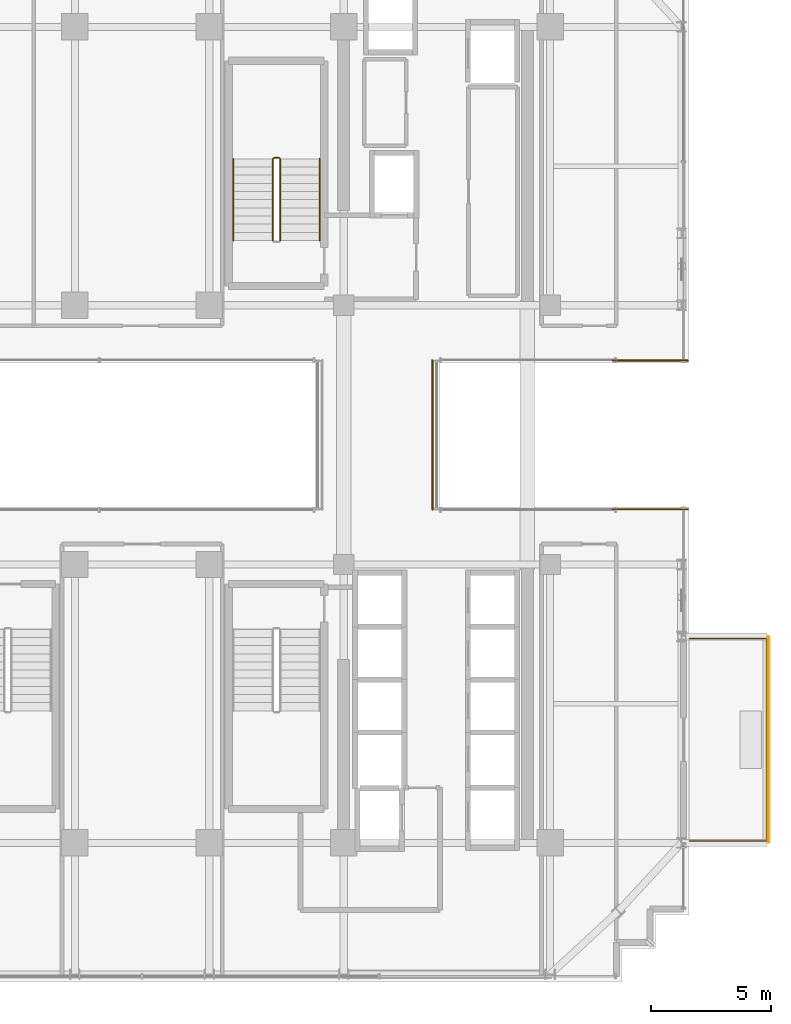
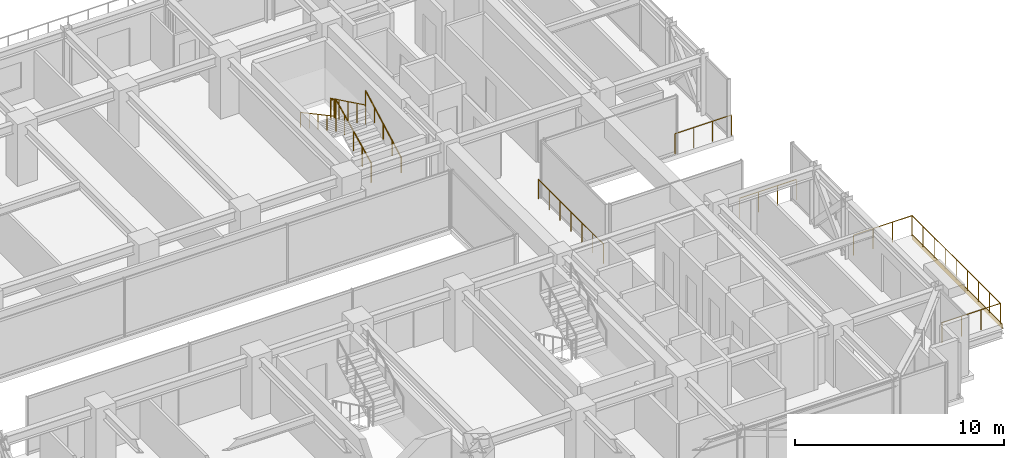
# One storey, part 39 of 41: 9 railings, 1 covering.
"""IFC4 building model written with IfcOpenShell, lengths in metres."""

from ifc_helpers import new_model, si_unit, direction, frame, origin, origin_2d, place, context, subcontext, project, spatial, rectangle, circle, extrude, source, transform, mapped, material, layer, layer_set, type_object, element, save


model = new_model("IFC4")

# Units and contexts
model_context = context("Model", 3, precision=1e-05, world=origin(), true_north=direction((0.0, 1.0)))
body_context = subcontext(model_context, "Body", "Model", "MODEL_VIEW")
ifc_project = project(units=[si_unit("LENGTHUNIT", "METRE"), si_unit("AREAUNIT", "SQUARE_METRE"), si_unit("VOLUMEUNIT", "CUBIC_METRE"), si_unit("PLANEANGLEUNIT", "RADIAN"), si_unit("MASSUNIT", "GRAM", prefix="KILO")], contexts=[model_context])

# Site, building, storey
site_placement = place(None, origin())
site = spatial("IfcSite", under=ifc_project, at=site_placement, CompositionType="ELEMENT")
building_placement = place(site_placement, origin())
building = spatial("IfcBuilding", under=site, at=building_placement, Name="Nahalor Promenade Grand Hotel", CompositionType="ELEMENT")
storey_placement = place(building_placement, frame((0.0, 0.0, 159.949951171875)))
storey = spatial("IfcBuildingStorey", under=building, at=storey_placement, Name="L40", CompositionType="ELEMENT", Elevation=159.949951171875)

# Railings
ifc_material_1 = material(Name="Anodised Bronze Aluminium EN AW-6063 T6", Category="aluminium")
railing_type_1 = type_object("IfcRailingType", Name="Bronze Balcony Guardrail 1200 mm", PredefinedType="GUARDRAIL", material=ifc_material_1)
for number, where, name in (
    (1, (19.6201171875, -3.09912109375, 0.0), "L40 Oculus Void Edge Guardrail ES"),
    (2, (19.6201171875, 3.09912109375, 0.0), "L40 Oculus Void Edge Guardrail EN"),
):
    element("IfcRailing", number, at=place(storey_placement, frame(where)), inside=storey, type_object=railing_type_1, Name=name, PredefinedType="GUARDRAIL", context=body_context, shape_type="SweptSolid", body=[
        extrude(circle(Radius=0.024048, at=origin_2d()), frame((0.0, 0.0, 1.17578125), z_axis=(1.0, 0.0, 0.0), x_axis=(0.0, 1.0, 0.0)), (0.0, 0.0, 1.0), 3.119873046875),
        extrude(circle(Radius=0.020996, at=origin_2d()), origin(), (0.0, 0.0, 1.0), 1.14990234375),
        extrude(circle(Radius=0.020996, at=origin_2d()), frame((1.0400390625, 0.0, 0.0)), (0.0, 0.0, 1.0), 1.14990234375),
        extrude(circle(Radius=0.020996, at=origin_2d()), frame((2.079833984375, 0.0, 0.0)), (0.0, 0.0, 1.0), 1.14990234375),
        extrude(circle(Radius=0.020996, at=origin_2d()), frame((3.119873046875, 0.0, 0.0)), (0.0, 0.0, 1.0), 1.14990234375),
    ])
railing_1_placement = place(storey_placement, frame((22.800048828125, -16.919921875, 0.0)))
element("IfcRailing", 3, at=railing_1_placement, inside=storey, type_object=railing_type_1, Name="L40 Balcony Guardrail 2", PredefinedType="GUARDRAIL", context=body_context, shape_type="SweptSolid", body=[
    extrude(circle(Radius=0.024048, at=origin_2d()), frame((0.0, 0.0, 1.17578125), z_axis=(1.0, 0.0, 0.0), x_axis=(0.0, 1.0, 0.0)), (0.0, 0.0, 1.0), 3.22802734375),
    extrude(circle(Radius=0.024048, at=origin_2d()), frame((3.22998046875, 0.001953125, 1.17578125), z_axis=(0.0, 1.0, 0.0), x_axis=(-1.0, 0.0, 0.0)), (0.0, 0.0, 1.0), 8.43603515625),
    extrude(circle(Radius=0.024048, at=origin_2d()), frame((3.22802734375, 8.43994140625, 1.17578125), z_axis=(-1.0, 0.0, 0.0), x_axis=(0.0, -1.0, 0.0)), (0.0, 0.0, 1.0), 3.22802734375),
    extrude(circle(Radius=0.020996, at=origin_2d()), origin(), (0.0, 0.0, 1.0), 1.14990234375),
    extrude(circle(Radius=0.020996, at=origin_2d()), frame((1.07666015625, 0.0, 0.0)), (0.0, 0.0, 1.0), 1.14990234375),
    extrude(circle(Radius=0.020996, at=origin_2d()), frame((2.1533203125, 0.0, 0.0)), (0.0, 0.0, 1.0), 1.14990234375),
    extrude(circle(Radius=0.020996, at=origin_2d()), frame((3.22998046875, 0.0, 0.0)), (0.0, 0.0, 1.0), 1.14990234375),
    extrude(circle(Radius=0.020996, at=origin_2d()), frame((3.22998046875, 1.054931640625, 0.0)), (0.0, 0.0, 1.0), 1.14990234375),
    extrude(circle(Radius=0.020996, at=origin_2d()), frame((3.22998046875, 2.10986328125, 0.0)), (0.0, 0.0, 1.0), 1.14990234375),
    extrude(circle(Radius=0.020996, at=origin_2d()), frame((3.22998046875, 3.1650390625, 0.0)), (0.0, 0.0, 1.0), 1.14990234375),
    extrude(circle(Radius=0.020996, at=origin_2d()), frame((3.22998046875, 4.219970703125, 0.0)), (0.0, 0.0, 1.0), 1.14990234375),
    extrude(circle(Radius=0.020996, at=origin_2d()), frame((3.22998046875, 5.27490234375, 0.0)), (0.0, 0.0, 1.0), 1.14990234375),
    extrude(circle(Radius=0.020996, at=origin_2d()), frame((3.22998046875, 6.330078125, 0.0)), (0.0, 0.0, 1.0), 1.14990234375),
    extrude(circle(Radius=0.020996, at=origin_2d()), frame((3.22998046875, 7.385009765625, 0.0)), (0.0, 0.0, 1.0), 1.14990234375),
    extrude(circle(Radius=0.020996, at=origin_2d()), frame((3.22998046875, 8.43994140625, 0.0)), (0.0, 0.0, 1.0), 1.14990234375),
    extrude(circle(Radius=0.020996, at=origin_2d()), frame((2.1533203125, 8.43994140625, 0.0)), (0.0, 0.0, 1.0), 1.14990234375),
    extrude(circle(Radius=0.020996, at=origin_2d()), frame((1.07666015625, 8.43994140625, 0.0)), (0.0, 0.0, 1.0), 1.14990234375),
    extrude(circle(Radius=0.020996, at=origin_2d()), frame((0.0, 8.43994140625, 0.0)), (0.0, 0.0, 1.0), 1.14990234375),
])
railing_type_2 = type_object("IfcRailingType", Name="Bronze Sky Balustrade 1150 mm", PredefinedType="BALUSTRADE", material=ifc_material_1)
railing_2_placement = place(storey_placement, frame((12.10009765625, -3.118896484375, 0.0)))
element("IfcRailing", 4, at=railing_2_placement, inside=storey, type_object=railing_type_2, Name="BL-L40-BRG-E", PredefinedType="BALUSTRADE", context=body_context, shape_type="SweptSolid", body=[
    extrude(circle(Radius=0.024048, at=origin_2d()), frame((0.0, 0.0, 1.1259765625), z_axis=(0.0, 1.0, 0.0), x_axis=(-1.0, 0.0, 0.0)), (0.0, 0.0, 1.0), 6.23779296875),
    extrude(circle(Radius=0.020996, at=origin_2d()), origin(), (0.0, 0.0, 1.0), 1.099853515625),
    extrude(circle(Radius=0.020996, at=origin_2d()), frame((0.0, 1.03955078125, 0.0)), (0.0, 0.0, 1.0), 1.099853515625),
    extrude(circle(Radius=0.020996, at=origin_2d()), frame((0.0, 2.079345703125, 0.0)), (0.0, 0.0, 1.0), 1.099853515625),
    extrude(circle(Radius=0.020996, at=origin_2d()), frame((0.0, 3.118896484375, 0.0)), (0.0, 0.0, 1.0), 1.099853515625),
    extrude(circle(Radius=0.020996, at=origin_2d()), frame((0.0, 4.158447265625, 0.0)), (0.0, 0.0, 1.0), 1.099853515625),
    extrude(circle(Radius=0.020996, at=origin_2d()), frame((0.0, 5.1982421875, 0.0)), (0.0, 0.0, 1.0), 1.099853515625),
    extrude(circle(Radius=0.020996, at=origin_2d()), frame((0.0, 6.23779296875, 0.0)), (0.0, 0.0, 1.0), 1.099853515625),
])
ifc_material_2 = material(Name="Steel S355JR", Category="steel")
railing_type_3 = type_object("IfcRailingType", Name="Steel Stair Guardrail 1150 mm", PredefinedType="GUARDRAIL", material=ifc_material_2)
railing_3_placement = place(storey_placement, frame((5.75, 8.10009765625, 0.166015625)))
element("IfcRailing", 5, at=railing_3_placement, inside=storey, type_object=railing_type_3, Name="L40 ST1 stair guard 1", PredefinedType="GUARDRAIL", context=body_context, shape_type="SweptSolid", body=[
    extrude(circle(Radius=0.024048, at=origin_2d()), frame((0.0, 0.0, 1.1259765625), z_axis=(0.0, 0.898721922897, 0.438518990814), x_axis=(-1.0, 0.0, 0.0)), (0.0, 0.0, 1.0), 3.782958984375),
    extrude(circle(Radius=0.020996, at=origin_2d()), origin(), (0.0, 0.0, 1.0), 1.099853515625),
    extrude(circle(Radius=0.020996, at=origin_2d()), frame((0.0, 0.85009765625, 0.414794921875)), (0.0, 0.0, 1.0), 1.099853515625),
    extrude(circle(Radius=0.020996, at=origin_2d()), frame((0.0, 1.699951171875, 0.82958984375)), (0.0, 0.0, 1.0), 1.099853515625),
    extrude(circle(Radius=0.020996, at=origin_2d()), frame((0.0, 2.5498046875, 1.244140625)), (0.0, 0.0, 1.0), 1.099853515625),
    extrude(circle(Radius=0.020996, at=origin_2d()), frame((0.0, 3.39990234375, 1.658935546875)), (0.0, 0.0, 1.0), 1.099853515625),
])
railing_4_placement = place(storey_placement, frame((5.699951171875, 11.550048828125, 1.824951171875)))
element("IfcRailing", 6, at=railing_4_placement, inside=storey, type_object=railing_type_3, Name="L40 ST1 stair guard 2", PredefinedType="GUARDRAIL", context=body_context, shape_type="SweptSolid", body=[
    extrude(circle(Radius=0.024048, at=origin_2d()), frame((0.0, 0.0, 1.1259765625), z_axis=(-1.0, 0.0, 0.0), x_axis=(0.0, -1.0, 0.0)), (0.0, 0.0, 1.0), 0.199951171875),
    extrude(circle(Radius=0.020996, at=origin_2d()), origin(), (0.0, 0.0, 1.0), 1.099853515625),
    extrude(circle(Radius=0.020996, at=origin_2d()), frame((-0.199951171875, 0.0, 0.0)), (0.0, 0.0, 1.0), 1.099853515625),
])
railing_5_placement = place(storey_placement, frame((5.449951171875, 11.5, 1.990966796875)))
element("IfcRailing", 7, at=railing_5_placement, inside=storey, type_object=railing_type_3, Name="L40 ST1 stair guard 3", PredefinedType="GUARDRAIL", context=body_context, shape_type="SweptSolid", body=[
    extrude(circle(Radius=0.024048, at=origin_2d()), frame((0.0, 0.0, 1.1259765625), z_axis=(0.0, -0.898696488221, 0.438571114028), x_axis=(1.0, 0.0, 0.0)), (0.0, 0.0, 1.0), 3.783203125),
    extrude(circle(Radius=0.020996, at=origin_2d()), origin(), (0.0, 0.0, 1.0), 1.099853515625),
    extrude(circle(Radius=0.020996, at=origin_2d()), frame((0.0, -0.85009765625, 0.414794921875)), (0.0, 0.0, 1.0), 1.099853515625),
    extrude(circle(Radius=0.020996, at=origin_2d()), frame((0.0, -1.699951171875, 0.82958984375)), (0.0, 0.0, 1.0), 1.099853515625),
    extrude(circle(Radius=0.020996, at=origin_2d()), frame((0.0, -2.5498046875, 1.244384765625)), (0.0, 0.0, 1.0), 1.099853515625),
    extrude(circle(Radius=0.020996, at=origin_2d()), frame((0.0, -3.39990234375, 1.6591796875)), (0.0, 0.0, 1.0), 1.099853515625),
])
railing_type_4 = type_object("IfcRailingType", Name="Steel Stair Handrail 900 mm", PredefinedType="HANDRAIL", material=ifc_material_2)
railing_6_placement = place(storey_placement, frame((7.39990234375, 8.10009765625, 0.166015625)))
element("IfcRailing", 8, at=railing_6_placement, inside=storey, type_object=railing_type_4, Name="L40 ST1 stair handrail 1", PredefinedType="HANDRAIL", context=body_context, shape_type="SweptSolid", body=[
    extrude(circle(Radius=0.024048, at=origin_2d()), frame((0.0, 0.0, 0.8759765625), z_axis=(0.0, 0.881094038095, 0.47294111265), x_axis=(-1.0, 0.0, 0.0)), (0.0, 0.0, 1.0), 3.858642578125),
    extrude(circle(Radius=0.020996, at=origin_2d()), origin(), (0.0, 0.0, 1.0), 0.849853515625),
    extrude(circle(Radius=0.020996, at=origin_2d()), frame((0.0, 0.85009765625, 0.456298828125)), (0.0, 0.0, 1.0), 0.849853515625),
    extrude(circle(Radius=0.020996, at=origin_2d()), frame((0.0, 1.699951171875, 0.91259765625)), (0.0, 0.0, 1.0), 0.849853515625),
    extrude(circle(Radius=0.020996, at=origin_2d()), frame((0.0, 2.5498046875, 1.36865234375)), (0.0, 0.0, 1.0), 0.849853515625),
    extrude(circle(Radius=0.020996, at=origin_2d()), frame((0.0, 3.39990234375, 1.824951171875)), (0.0, 0.0, 1.0), 0.849853515625),
])
railing_7_placement = place(storey_placement, frame((3.800048828125, 11.5, 1.990966796875)))
element("IfcRailing", 9, at=railing_7_placement, inside=storey, type_object=railing_type_4, Name="L40 ST1 stair handrail 2", PredefinedType="HANDRAIL", context=body_context, shape_type="SweptSolid", body=[
    extrude(circle(Radius=0.024048, at=origin_2d()), frame((0.0, 0.0, 0.8759765625), z_axis=(0.0, -0.881094038095, 0.47294111265), x_axis=(1.0, 0.0, 0.0)), (0.0, 0.0, 1.0), 3.858642578125),
    extrude(circle(Radius=0.020996, at=origin_2d()), origin(), (0.0, 0.0, 1.0), 0.849853515625),
    extrude(circle(Radius=0.020996, at=origin_2d()), frame((0.0, -0.85009765625, 0.456298828125)), (0.0, 0.0, 1.0), 0.849853515625),
    extrude(circle(Radius=0.020996, at=origin_2d()), frame((0.0, -1.699951171875, 0.91259765625)), (0.0, 0.0, 1.0), 0.849853515625),
    extrude(circle(Radius=0.020996, at=origin_2d()), frame((0.0, -2.5498046875, 1.36865234375)), (0.0, 0.0, 1.0), 0.849853515625),
    extrude(circle(Radius=0.020996, at=origin_2d()), frame((0.0, -3.39990234375, 1.824951171875)), (0.0, 0.0, 1.0), 0.849853515625),
])

# Covering
ifc_layer = layer(ifc_material_1, 0.0400390625)
ifc_layer_set = layer_set([ifc_layer], Name="Anodised Bronze Aluminium EN AW-6063 T6")
covering_type = type_object("IfcCoveringType", Name="Bronze Spandrel Cladding Panel", PredefinedType="CLADDING", material=ifc_layer_set)
shared_shape = source(origin(), body_context, "Body", "SweptSolid", [
    extrude(rectangle(XDim=8.60009765625, YDim=0.0400390625, at=origin_2d()), origin(), (0.0, 0.0, 1.0), 0.280029296875),
])
covering_placement = place(storey_placement, frame((26.090087890625, -12.699951171875, -0.27978515625), z_axis=(0.0, 0.0, 1.0), x_axis=(0.0, 1.0, 0.0)))
element("IfcCovering", 10, at=covering_placement, inside=storey, type_object=covering_type, Name="CL-L40-BALC-02", PredefinedType="CLADDING", context=body_context, shape_type="MappedRepresentation", body=[
    mapped(shared_shape, transform((0.0, 0.0, 0.0), scale=1.0)),
])

save(model, "model.ifc")
